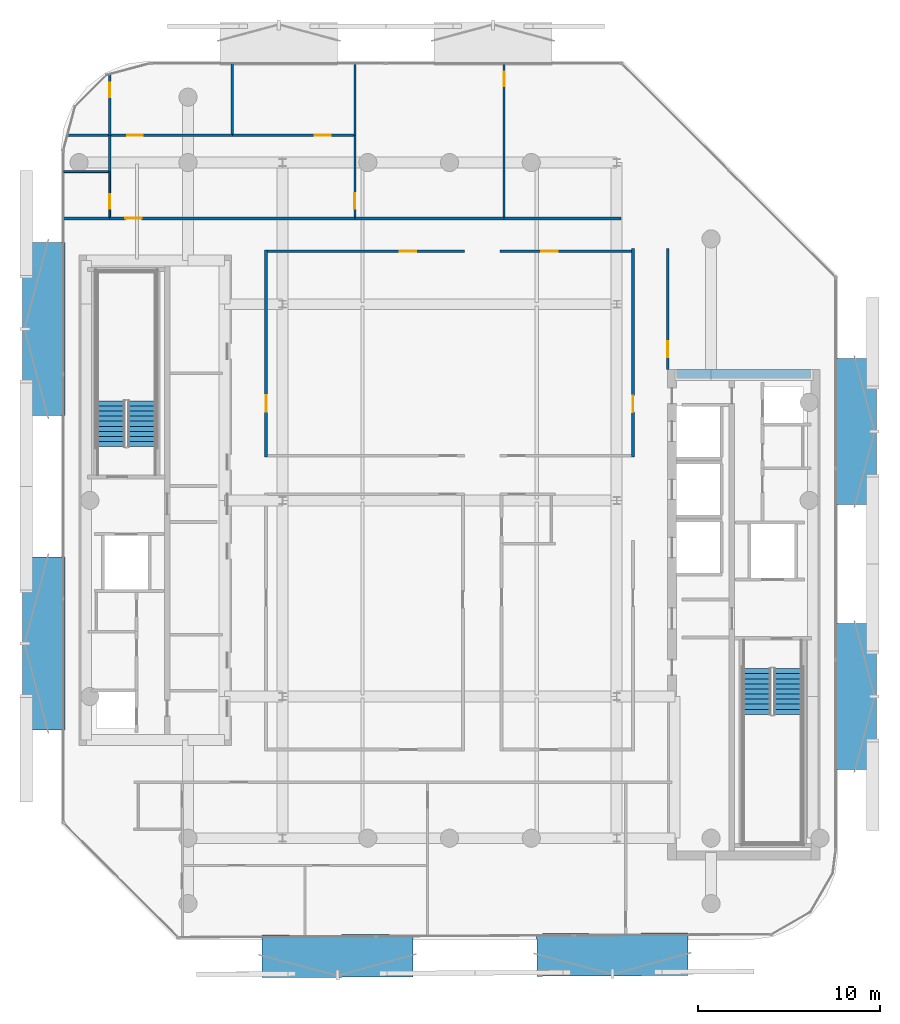
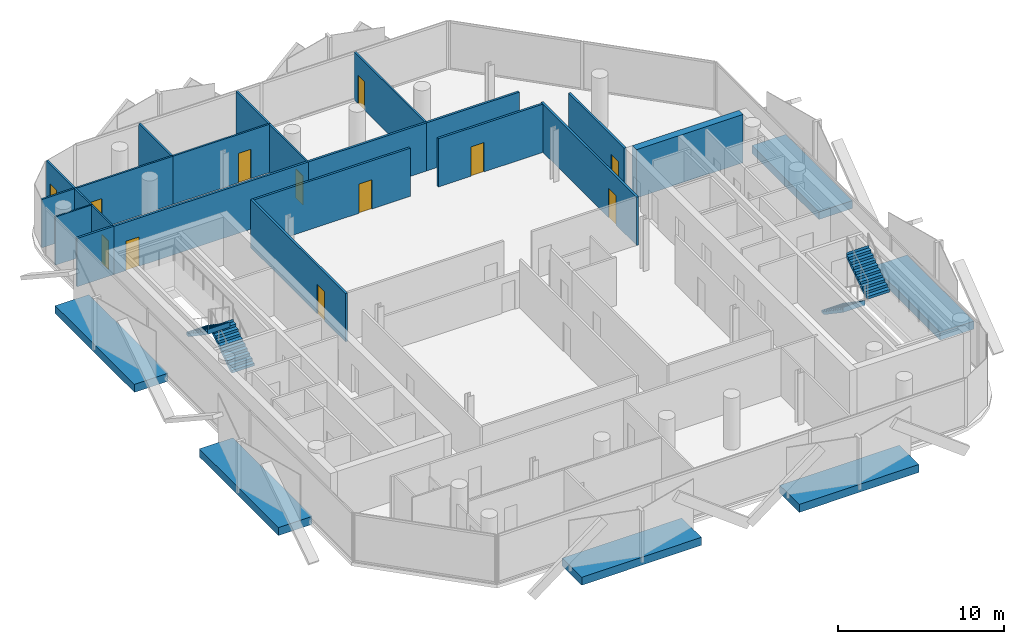
# One storey, part 7 of 15: 20 walls, 12 doors, 6 discrete accessories, 4 stair flights, 12 openings, 2 elements without a shape of their own.
"""IFC4 building model written with IfcOpenShell, lengths in metres."""

from ifc_helpers import new_model, si_unit, direction, frame, frame_2d, origin, origin_2d, place, context, subcontext, project, spatial, polyline, rectangle, outline, extrude, material, layer, layer_set, type_object, element, fill, aggregate, save


model = new_model("IFC4")

# Units and contexts
model_context = context("Model", 3, precision=1e-05, world=origin(), true_north=direction((0.0, 1.0)))
body_context = subcontext(model_context, "Body", "Model", "MODEL_VIEW")
ifc_project = project(units=[si_unit("LENGTHUNIT", "METRE"), si_unit("AREAUNIT", "SQUARE_METRE"), si_unit("VOLUMEUNIT", "CUBIC_METRE"), si_unit("PLANEANGLEUNIT", "RADIAN"), si_unit("MASSUNIT", "GRAM", prefix="KILO")], contexts=[model_context])

# Site, building, storey
site_placement = place(None, origin())
site = spatial("IfcSite", under=ifc_project, at=site_placement, CompositionType="ELEMENT")
building_placement = place(site_placement, origin())
building = spatial("IfcBuilding", under=site, at=building_placement, Name="Khairoan Windgate Tower", CompositionType="ELEMENT")
storey_placement = place(building_placement, frame((0.0, 0.0, 289.0)))
storey = spatial("IfcBuildingStorey", under=building, at=storey_placement, Name="L69", CompositionType="ELEMENT", Elevation=289.0)

# Wall
ifc_material_1 = material(Name="Moisture-Resistant Gypsum Partition", Category="gypsum")
ifc_layer_1 = layer(ifc_material_1, 0.10009765625, Name="Moisture-Resistant Gypsum Partition")
ifc_layer_set_1 = layer_set([ifc_layer_1], Name="Moisture-Resistant Gypsum Partition")
wall_type_1 = type_object("IfcWallType", Name="Bathroom Wet-Area Partition Wall", PredefinedType="PARTITIONING", material=ifc_layer_set_1)
wall_1_placement = place(storey_placement, frame((-21.2548828125, 18.10009765625, 0.0), z_axis=(0.0, 0.0, 1.0), x_axis=(1.0, 0.0, 0.0)))
element("IfcWall", 1, at=wall_1_placement, inside=storey, type_object=wall_type_1, Name="L69 Interior Partition 037", PredefinedType="PARTITIONING", context=body_context, shape_type="SweptSolid", body=[
    extrude(rectangle(XDim=2.494873046875, YDim=0.10009765625, at=frame_2d((1.24755859375, 0.0))), origin(), (0.0, 0.0, 1.0), 3.5400390625),
])

# Wall, opening, door
wall_2_placement = place(storey_placement, frame((-18.7099609375, 15.60009765625, 0.0), z_axis=(0.0, 0.0, 1.0), x_axis=(0.0, 1.0, 0.0)))
wall_2 = element("IfcWall", 2, at=wall_2_placement, inside=storey, type_object=wall_type_1, Name="L69 Interior Partition 038", PredefinedType="PARTITIONING", context=body_context, shape_type="SweptSolid", body=[
    extrude(rectangle(XDim=2.5, YDim=0.10009765625, at=frame_2d((1.25, 0.0))), origin(), (0.0, 0.0, 1.0), 3.5400390625),
])
opening_1_placement = place(wall_2_placement, frame((0.4599609375, 0.0, 0.0)))
opening_1 = element("IfcOpeningElement", 3, at=opening_1_placement, cuts=wall_2, Name="Opening ID-BTH", PredefinedType="OPENING", context=body_context, shape_type="SweptSolid", body=[
    extrude(rectangle(XDim=0.800048828125, YDim=2.10009765625, at=frame_2d((0.39990234375, 1.050048828125))), frame((0.0, 0.06005859375, 0.0), z_axis=(0.0, -1.0, 0.0), x_axis=(1.0, 0.0, 0.0)), (0.0, 0.0, 1.0), 0.1201171875),
])
ifc_material_2 = material(Name="Teak Veneer Timber Leaf", Category="wood")
door_type_1 = type_object("IfcDoorType", Name="Internal Bathroom Door ID-BTH 800x2100", OperationType="NOTDEFINED", PredefinedType="DOOR", material=ifc_material_2)
door_1_placement = place(opening_1_placement, origin())
door_1 = element("IfcDoor", 4, at=door_1_placement, inside=storey, type_object=door_type_1, Name="L69 L69-33-L69-35 Door", OperationType="SINGLE_SWING_LEFT", OverallHeight=2.10009765625, OverallWidth=0.800048828125, PredefinedType="DOOR", context=body_context, shape_type="SweptSolid", body=[
    extrude(rectangle(XDim=0.800048828125, YDim=2.10009765625, at=frame_2d((0.39990234375, 1.050048828125))), frame((0.0, 0.02490234375, 0.0), z_axis=(0.0, -1.0, 0.0), x_axis=(1.0, 0.0, 0.0)), (0.0, 0.0, 1.0), 0.050048828125),
])
fill(opening_1, door_1)

# Wall
ifc_material_3 = material(Name="Gypsum Stud Partition", Category="gypsum")
ifc_layer_2 = layer(ifc_material_3, 0.1201171875, Name="Gypsum Stud Partition")
ifc_layer_set_2 = layer_set([ifc_layer_2], Name="Gypsum Stud Partition")
wall_type_2 = type_object("IfcWallType", Name="Internal Room Partition Wall", PredefinedType="PARTITIONING", material=ifc_layer_set_2)
wall_3_placement = place(storey_placement, frame((-18.7099609375, 18.10009765625, 0.0), z_axis=(0.0, 0.0, 1.0), x_axis=(0.0, 1.0, 0.0)))
element("IfcWall", 5, at=wall_3_placement, inside=storey, type_object=wall_type_2, Name="L69 Interior Partition 039", PredefinedType="PARTITIONING", context=body_context, shape_type="SweptSolid", body=[
    extrude(rectangle(XDim=2.0, YDim=0.1201171875, at=frame_2d((1.0, 0.0))), origin(), (0.0, 0.0, 1.0), 3.5400390625),
])

# Wall, opening, door
wall_4_placement = place(storey_placement, frame((-18.7099609375, 20.10009765625, 0.0), z_axis=(0.0, 0.0, 1.0), x_axis=(0.0, 1.0, 0.0)))
wall_4 = element("IfcWall", 6, at=wall_4_placement, inside=storey, type_object=wall_type_2, Name="L69 Interior Partition 040", PredefinedType="PARTITIONING", context=body_context, shape_type="SweptSolid", body=[
    extrude(rectangle(XDim=3.361328125, YDim=0.1201171875, at=frame_2d((1.6806640625, 0.0))), origin(), (0.0, 0.0, 1.0), 3.5400390625),
])
opening_2_placement = place(wall_4_placement, frame((2.1015625, 0.0, 0.0)))
opening_2 = element("IfcOpeningElement", 7, at=opening_2_placement, cuts=wall_4, Name="Opening ID-BTH", PredefinedType="OPENING", context=body_context, shape_type="SweptSolid", body=[
    extrude(rectangle(XDim=0.800048828125, YDim=2.10009765625, at=frame_2d((0.39990234375, 1.050048828125))), frame((0.0, 0.070068359375, 0.0), z_axis=(0.0, -1.0, 0.0), x_axis=(1.0, 0.0, 0.0)), (0.0, 0.0, 1.0), 0.14013671875),
])
door_2_placement = place(opening_2_placement, origin())
door_2 = element("IfcDoor", 8, at=door_2_placement, inside=storey, type_object=door_type_1, Name="L69 L69-34-L69-38 Door", OperationType="SINGLE_SWING_RIGHT", OverallHeight=2.10009765625, OverallWidth=0.800048828125, PredefinedType="DOOR", context=body_context, shape_type="SweptSolid", body=[
    extrude(rectangle(XDim=0.800048828125, YDim=2.10009765625, at=frame_2d((0.39990234375, 1.050048828125))), frame((0.0, 0.02490234375, 0.0), z_axis=(0.0, -1.0, 0.0), x_axis=(1.0, 0.0, 0.0)), (0.0, 0.0, 1.0), 0.050048828125),
])
fill(opening_2, door_2)

wall_5_placement = place(storey_placement, frame((-5.2099609375, 15.60009765625, 0.0), z_axis=(0.0, 0.0, 1.0), x_axis=(0.0, 1.0, 0.0)))
wall_5 = element("IfcWall", 9, at=wall_5_placement, inside=storey, type_object=wall_type_2, Name="L69 Interior Partition 041", PredefinedType="PARTITIONING", context=body_context, shape_type="SweptSolid", body=[
    extrude(rectangle(XDim=4.5, YDim=0.1201171875, at=frame_2d((2.25, 0.0))), origin(), (0.0, 0.0, 1.0), 3.5400390625),
])
opening_3_placement = place(wall_5_placement, frame((0.4599609375, 0.0, 0.0)))
opening_3 = element("IfcOpeningElement", 10, at=opening_3_placement, cuts=wall_5, Name="Opening ID-RM", PredefinedType="OPENING", context=body_context, shape_type="SweptSolid", body=[
    extrude(rectangle(XDim=0.860107421875, YDim=2.14990234375, at=frame_2d((0.43017578125, 1.074951171875))), frame((0.0, 0.070068359375, 0.0), z_axis=(0.0, -1.0, 0.0), x_axis=(1.0, 0.0, 0.0)), (0.0, 0.0, 1.0), 0.14013671875),
])
ifc_material_4 = material(Name="Teak Veneer Timber Leaf", Category="wood")
door_type_2 = type_object("IfcDoorType", Name="Internal Bedroom and Office Door ID-RM 860x2150", OperationType="NOTDEFINED", PredefinedType="DOOR", material=ifc_material_4)
door_3_placement = place(opening_3_placement, origin())
door_3 = element("IfcDoor", 11, at=door_3_placement, inside=storey, type_object=door_type_2, Name="L69 L69-35-L69-36 Door", OperationType="SINGLE_SWING_LEFT", OverallHeight=2.14990234375, OverallWidth=0.860107421875, PredefinedType="DOOR", context=body_context, shape_type="SweptSolid", body=[
    extrude(rectangle(XDim=0.860107421875, YDim=2.14990234375, at=frame_2d((0.43017578125, 1.074951171875))), frame((0.0, 0.02490234375, 0.0), z_axis=(0.0, -1.0, 0.0), x_axis=(1.0, 0.0, 0.0)), (0.0, 0.0, 1.0), 0.050048828125),
])
fill(opening_3, door_3)

wall_6_placement = place(storey_placement, frame((-21.03857421875, 20.10009765625, 0.0), z_axis=(0.0, 0.0, 1.0), x_axis=(1.0, 0.0, 0.0)))
wall_6 = element("IfcWall", 12, at=wall_6_placement, inside=storey, type_object=wall_type_2, Name="L69 Interior Partition 042", PredefinedType="PARTITIONING", context=body_context, shape_type="SweptSolid", body=[
    extrude(rectangle(XDim=9.07861328125, YDim=0.1201171875, at=frame_2d((4.539306640625, 0.0))), origin(), (0.0, 0.0, 1.0), 3.5400390625),
])
opening_4_placement = place(wall_6_placement, frame((3.29833984375, 0.0, 0.0)))
opening_4 = element("IfcOpeningElement", 13, at=opening_4_placement, cuts=wall_6, Name="Opening ID-RM", PredefinedType="OPENING", context=body_context, shape_type="SweptSolid", body=[
    extrude(rectangle(XDim=0.860107421875, YDim=2.14990234375, at=frame_2d((0.43017578125, 1.074951171875))), frame((0.0, 0.070068359375, 0.0), z_axis=(0.0, -1.0, 0.0), x_axis=(1.0, 0.0, 0.0)), (0.0, 0.0, 1.0), 0.14013671875),
])
door_4_placement = place(opening_4_placement, origin())
door_4 = element("IfcDoor", 14, at=door_4_placement, inside=storey, type_object=door_type_2, Name="L69 L69-35-L69-38 Door", OperationType="SINGLE_SWING_RIGHT", OverallHeight=2.14990234375, OverallWidth=0.860107421875, PredefinedType="DOOR", context=body_context, shape_type="SweptSolid", body=[
    extrude(rectangle(XDim=0.860107421875, YDim=2.14990234375, at=frame_2d((0.43017578125, 1.074951171875))), frame((0.0, 0.02490234375, 0.0), z_axis=(0.0, -1.0, 0.0), x_axis=(1.0, 0.0, 0.0)), (0.0, 0.0, 1.0), 0.050048828125),
])
fill(opening_4, door_4)

wall_7_placement = place(storey_placement, frame((-11.9599609375, 20.10009765625, 0.0), z_axis=(0.0, 0.0, 1.0), x_axis=(1.0, 0.0, 0.0)))
wall_7 = element("IfcWall", 15, at=wall_7_placement, inside=storey, type_object=wall_type_2, Name="L69 Interior Partition 043", PredefinedType="PARTITIONING", context=body_context, shape_type="SweptSolid", body=[
    extrude(rectangle(XDim=6.68994140625, YDim=0.1201171875, at=frame_2d((3.344970703125, 0.0))), origin(), (0.0, 0.0, 1.0), 3.5400390625),
])
opening_5_placement = place(wall_7_placement, frame((4.5517578125, 0.0, 0.0)))
opening_5 = element("IfcOpeningElement", 16, at=opening_5_placement, cuts=wall_7, Name="Opening ID-RM", PredefinedType="OPENING", context=body_context, shape_type="SweptSolid", body=[
    extrude(rectangle(XDim=0.860107421875, YDim=2.14990234375, at=frame_2d((0.43017578125, 1.074951171875))), frame((0.0, 0.070068359375, 0.0), z_axis=(0.0, -1.0, 0.0), x_axis=(1.0, 0.0, 0.0)), (0.0, 0.0, 1.0), 0.14013671875),
])
door_5_placement = place(opening_5_placement, origin())
door_5 = element("IfcDoor", 17, at=door_5_placement, inside=storey, type_object=door_type_2, Name="L69 L69-35-L69-39 Door", OperationType="SINGLE_SWING_LEFT", OverallHeight=2.14990234375, OverallWidth=0.860107421875, PredefinedType="DOOR", context=body_context, shape_type="SweptSolid", body=[
    extrude(rectangle(XDim=0.860107421875, YDim=2.14990234375, at=frame_2d((0.43017578125, 1.074951171875))), frame((0.0, 0.02490234375, 0.0), z_axis=(0.0, -1.0, 0.0), x_axis=(1.0, 0.0, 0.0)), (0.0, 0.0, 1.0), 0.050048828125),
])
fill(opening_5, door_5)

wall_8_placement = place(storey_placement, frame((3.0048828125, 15.60009765625, 0.0), z_axis=(0.0, 0.0, 1.0), x_axis=(0.0, 1.0, 0.0)))
wall_8 = element("IfcWall", 18, at=wall_8_placement, inside=storey, type_object=wall_type_2, Name="L69 Interior Partition 044", PredefinedType="PARTITIONING", context=body_context, shape_type="SweptSolid", body=[
    extrude(rectangle(XDim=8.454833984375, YDim=0.1201171875, at=frame_2d((4.2275390625, 0.0))), origin(), (0.0, 0.0, 1.0), 3.5400390625),
])
opening_6_placement = place(wall_8_placement, frame((7.195068359375, 0.0, 0.0)))
opening_6 = element("IfcOpeningElement", 19, at=opening_6_placement, cuts=wall_8, Name="Opening ID-BTH", PredefinedType="OPENING", context=body_context, shape_type="SweptSolid", body=[
    extrude(rectangle(XDim=0.800048828125, YDim=2.10009765625, at=frame_2d((0.39990234375, 1.050048828125))), frame((0.0, 0.070068359375, 0.0), z_axis=(0.0, -1.0, 0.0), x_axis=(1.0, 0.0, 0.0)), (0.0, 0.0, 1.0), 0.14013671875),
])
door_6_placement = place(opening_6_placement, origin())
door_6 = element("IfcDoor", 20, at=door_6_placement, inside=storey, type_object=door_type_1, Name="L69 L69-36-L69-37 Door", OperationType="SINGLE_SWING_LEFT", OverallHeight=2.10009765625, OverallWidth=0.800048828125, PredefinedType="DOOR", context=body_context, shape_type="SweptSolid", body=[
    extrude(rectangle(XDim=0.800048828125, YDim=2.10009765625, at=frame_2d((0.39990234375, 1.050048828125))), frame((0.0, 0.02490234375, 0.0), z_axis=(0.0, -1.0, 0.0), x_axis=(1.0, 0.0, 0.0)), (0.0, 0.0, 1.0), 0.050048828125),
])
fill(opening_6, door_6)

# Walls
wall_9_placement = place(storey_placement, frame((-5.2099609375, 20.10009765625, 0.0), z_axis=(0.0, 0.0, 1.0), x_axis=(0.0, 1.0, 0.0)))
element("IfcWall", 21, at=wall_9_placement, inside=storey, type_object=wall_type_2, Name="L69 Interior Partition 045", PredefinedType="PARTITIONING", context=body_context, shape_type="SweptSolid", body=[
    extrude(rectangle(XDim=3.954833984375, YDim=0.1201171875, at=frame_2d((1.9775390625, 0.0))), origin(), (0.0, 0.0, 1.0), 3.5400390625),
])
wall_10_placement = place(storey_placement, frame((-11.9599609375, 20.159912109375, 0.0), z_axis=(0.0, 0.0, 1.0), x_axis=(0.0, 1.0, 0.0)))
element("IfcWall", 22, at=wall_10_placement, inside=storey, type_object=wall_type_2, Name="L69 Interior Partition 046", PredefinedType="PARTITIONING", context=body_context, shape_type="SweptSolid", body=[
    extrude(rectangle(XDim=3.89501953125, YDim=0.1201171875, at=frame_2d((1.947509765625, 0.0))), origin(), (0.0, 0.0, 1.0), 3.5400390625),
])

# Wall, opening, door
ifc_material_5 = material(Name="Acoustic Fire-Rated Gypsum Partition", Category="gypsum")
ifc_layer_3 = layer(ifc_material_5, 0.14990234375, Name="Acoustic Fire-Rated Gypsum Partition")
ifc_layer_set_3 = layer_set([ifc_layer_3], Name="Acoustic Fire-Rated Gypsum Partition")
wall_type_3 = type_object("IfcWallType", Name="Rated Corridor Partition Wall", PredefinedType="PARTITIONING", material=ifc_layer_set_3)
wall_11_placement = place(storey_placement, frame((-10.10009765625, 2.389892578125, 0.0), z_axis=(0.0, 0.0, 1.0), x_axis=(0.0, 1.0, 0.0)))
wall_11 = element("IfcWall", 23, at=wall_11_placement, inside=storey, type_object=wall_type_3, Name="L69 Interior Partition 013", PredefinedType="PARTITIONING", context=body_context, shape_type="SweptSolid", body=[
    extrude(rectangle(XDim=11.405029296875, YDim=0.14990234375, at=frame_2d((5.70263671875, 0.0))), origin(), (0.0, 0.0, 1.0), 3.5400390625),
])
opening_7_placement = place(wall_11_placement, frame((2.49951171875, 0.0, 0.0)))
opening_7 = element("IfcOpeningElement", 24, at=opening_7_placement, cuts=wall_11, Name="Opening FD-ENT", PredefinedType="OPENING", context=body_context, shape_type="SweptSolid", body=[
    extrude(rectangle(XDim=0.89990234375, YDim=2.14990234375, at=frame_2d((0.449951171875, 1.074951171875))), frame((0.0, 0.0849609375, 0.0), z_axis=(0.0, -1.0, 0.0), x_axis=(1.0, 0.0, 0.0)), (0.0, 0.0, 1.0), 0.169921875),
])
ifc_material_6 = material(Name="Timber Fire-Rated Core", Category="wood")
door_type_3 = type_object("IfcDoorType", Name="Unit and Office Fire Entrance Door FD-ENT 900x2150", OperationType="NOTDEFINED", PredefinedType="DOOR", material=ifc_material_6)
door_7_placement = place(opening_7_placement, origin())
door_7 = element("IfcDoor", 25, at=door_7_placement, inside=storey, type_object=door_type_3, Name="L69 L69-27-L69-48 Door", OperationType="SINGLE_SWING_LEFT", OverallHeight=2.14990234375, OverallWidth=0.89990234375, PredefinedType="DOOR", context=body_context, shape_type="SweptSolid", body=[
    extrude(rectangle(XDim=0.89990234375, YDim=2.14990234375, at=frame_2d((0.449951171875, 1.074951171875))), frame((0.0, 0.02490234375, 0.0), z_axis=(0.0, -1.0, 0.0), x_axis=(1.0, 0.0, 0.0)), (0.0, 0.0, 1.0), 0.050048828125),
])
fill(opening_7, door_7)

wall_12_placement = place(storey_placement, frame((12.014892578125, 7.199951171875, 0.0), z_axis=(0.0, 0.0, 1.0), x_axis=(0.0, 1.0, 0.0)))
wall_12 = element("IfcWall", 26, at=wall_12_placement, inside=storey, type_object=wall_type_3, Name="L69 Interior Partition 015", PredefinedType="PARTITIONING", context=body_context, shape_type="SweptSolid", body=[
    extrude(rectangle(XDim=6.679931640625, YDim=0.14990234375, at=frame_2d((3.33984375, 0.0))), origin(), (0.0, 0.0, 1.0), 3.5400390625),
])
opening_8_placement = place(wall_12_placement, frame((0.669921875, 0.0, 0.0)))
opening_8 = element("IfcOpeningElement", 27, at=opening_8_placement, cuts=wall_12, Name="Opening FD-ENT", PredefinedType="OPENING", context=body_context, shape_type="SweptSolid", body=[
    extrude(rectangle(XDim=0.89990234375, YDim=2.14990234375, at=frame_2d((0.449951171875, 1.074951171875))), frame((0.0, 0.0849609375, 0.0), z_axis=(0.0, -1.0, 0.0), x_axis=(1.0, 0.0, 0.0)), (0.0, 0.0, 1.0), 0.169921875),
])
door_8_placement = place(opening_8_placement, origin())
door_8 = element("IfcDoor", 28, at=door_8_placement, inside=storey, type_object=door_type_3, Name="L69 L69-28-L69-47 Door", OperationType="SINGLE_SWING_LEFT", OverallHeight=2.14990234375, OverallWidth=0.89990234375, PredefinedType="DOOR", context=body_context, shape_type="SweptSolid", body=[
    extrude(rectangle(XDim=0.89990234375, YDim=2.14990234375, at=frame_2d((0.449951171875, 1.074951171875))), frame((0.0, 0.02490234375, 0.0), z_axis=(0.0, -1.0, 0.0), x_axis=(1.0, 0.0, 0.0)), (0.0, 0.0, 1.0), 0.050048828125),
])
fill(opening_8, door_8)

wall_13_placement = place(storey_placement, frame((10.10009765625, 2.389892578125, 0.0), z_axis=(0.0, 0.0, 1.0), x_axis=(0.0, 1.0, 0.0)))
wall_13 = element("IfcWall", 29, at=wall_13_placement, inside=storey, type_object=wall_type_3, Name="L69 Interior Partition 016", PredefinedType="PARTITIONING", context=body_context, shape_type="SweptSolid", body=[
    extrude(rectangle(XDim=11.489990234375, YDim=0.14990234375, at=frame_2d((5.7451171875, 0.0))), origin(), (0.0, 0.0, 1.0), 3.5400390625),
])
opening_9_placement = place(wall_13_placement, frame((2.474609375, 0.0, 0.0)))
opening_9 = element("IfcOpeningElement", 30, at=opening_9_placement, cuts=wall_13, Name="Opening FD-ENT", PredefinedType="OPENING", context=body_context, shape_type="SweptSolid", body=[
    extrude(rectangle(XDim=0.89990234375, YDim=2.14990234375, at=frame_2d((0.449951171875, 1.074951171875))), frame((0.0, 0.0849609375, 0.0), z_axis=(0.0, -1.0, 0.0), x_axis=(1.0, 0.0, 0.0)), (0.0, 0.0, 1.0), 0.169921875),
])
door_9_placement = place(opening_9_placement, origin())
door_9 = element("IfcDoor", 31, at=door_9_placement, inside=storey, type_object=door_type_3, Name="L69 L69-28-L69-50 Door", OperationType="SINGLE_SWING_RIGHT", OverallHeight=2.14990234375, OverallWidth=0.89990234375, PredefinedType="DOOR", context=body_context, shape_type="SweptSolid", body=[
    extrude(rectangle(XDim=0.89990234375, YDim=2.14990234375, at=frame_2d((0.449951171875, 1.074951171875))), frame((0.0, 0.02490234375, 0.0), z_axis=(0.0, -1.0, 0.0), x_axis=(1.0, 0.0, 0.0)), (0.0, 0.0, 1.0), 0.050048828125),
])
fill(opening_9, door_9)

# Wall
wall_14_placement = place(storey_placement, frame((-21.2548828125, 15.52490234375, 0.0), z_axis=(0.0, 0.0, 1.0), x_axis=(1.0, 0.0, 0.0)))
element("IfcWall", 32, at=wall_14_placement, inside=storey, type_object=wall_type_3, Name="L69 Interior Partition 025", PredefinedType="PARTITIONING", context=body_context, shape_type="SweptSolid", body=[
    extrude(rectangle(XDim=2.544921875, YDim=0.14990234375, at=frame_2d((1.2724609375, 0.0))), origin(), (0.0, 0.0, 1.0), 3.5400390625),
])

# Wall, opening, door
wall_15_placement = place(storey_placement, frame((-18.7099609375, 15.52490234375, 0.0), z_axis=(0.0, 0.0, 1.0), x_axis=(1.0, 0.0, 0.0)))
wall_15 = element("IfcWall", 33, at=wall_15_placement, inside=storey, type_object=wall_type_3, Name="L69 Interior Partition 026", PredefinedType="PARTITIONING", context=body_context, shape_type="SweptSolid", body=[
    extrude(rectangle(XDim=13.5, YDim=0.14990234375, at=frame_2d((6.75, 0.0))), origin(), (0.0, 0.0, 1.0), 3.5400390625),
])
opening_10_placement = place(wall_15_placement, frame((0.86279296875, 0.0, 0.0)))
opening_10 = element("IfcOpeningElement", 34, at=opening_10_placement, cuts=wall_15, Name="Opening FD-ENT", PredefinedType="OPENING", context=body_context, shape_type="SweptSolid", body=[
    extrude(rectangle(XDim=0.89990234375, YDim=2.14990234375, at=frame_2d((0.449951171875, 1.074951171875))), frame((0.0, 0.0849609375, 0.0), z_axis=(0.0, -1.0, 0.0), x_axis=(1.0, 0.0, 0.0)), (0.0, 0.0, 1.0), 0.169921875),
])
door_10_placement = place(opening_10_placement, origin())
door_10 = element("IfcDoor", 35, at=door_10_placement, inside=storey, type_object=door_type_3, Name="L69 L69-31-L69-35 Door", OperationType="SINGLE_SWING_LEFT", OverallHeight=2.14990234375, OverallWidth=0.89990234375, PredefinedType="DOOR", context=body_context, shape_type="SweptSolid", body=[
    extrude(rectangle(XDim=0.89990234375, YDim=2.14990234375, at=frame_2d((0.449951171875, 1.074951171875))), frame((0.0, 0.02490234375, 0.0), z_axis=(0.0, -1.0, 0.0), x_axis=(1.0, 0.0, 0.0)), (0.0, 0.0, 1.0), 0.050048828125),
])
fill(opening_10, door_10)

# Walls
wall_16_placement = place(storey_placement, frame((-5.2099609375, 15.52490234375, 0.0), z_axis=(0.0, 0.0, 1.0), x_axis=(1.0, 0.0, 0.0)))
element("IfcWall", 36, at=wall_16_placement, inside=storey, type_object=wall_type_3, Name="L69 Interior Partition 027", PredefinedType="PARTITIONING", context=body_context, shape_type="SweptSolid", body=[
    extrude(rectangle(XDim=8.21484375, YDim=0.14990234375, at=frame_2d((4.107421875, 0.0))), origin(), (0.0, 0.0, 1.0), 3.5400390625),
])
wall_17_placement = place(storey_placement, frame((3.0048828125, 15.52490234375, 0.0), z_axis=(0.0, 0.0, 1.0), x_axis=(1.0, 0.0, 0.0)))
element("IfcWall", 37, at=wall_17_placement, inside=storey, type_object=wall_type_3, Name="L69 Interior Partition 028", PredefinedType="PARTITIONING", context=body_context, shape_type="SweptSolid", body=[
    extrude(rectangle(XDim=6.43505859375, YDim=0.14990234375, at=frame_2d((3.217529296875, 0.0))), origin(), (0.0, 0.0, 1.0), 3.5400390625),
])

# Wall, opening, door
wall_18_placement = place(storey_placement, frame((-10.02490234375, 13.719970703125, 0.0), z_axis=(0.0, 0.0, 1.0), x_axis=(1.0, 0.0, 0.0)))
wall_18 = element("IfcWall", 38, at=wall_18_placement, inside=storey, type_object=wall_type_3, Name="L69 Interior Partition 029", PredefinedType="PARTITIONING", context=body_context, shape_type="SweptSolid", body=[
    extrude(rectangle(XDim=10.85498046875, YDim=0.14990234375, at=frame_2d((5.427490234375, 0.0))), origin(), (0.0, 0.0, 1.0), 3.5400390625),
])
opening_11_placement = place(wall_18_placement, frame((7.286376953125, 0.0, 0.0)))
opening_11 = element("IfcOpeningElement", 39, at=opening_11_placement, cuts=wall_18, Name="Opening FD-ENT", PredefinedType="OPENING", context=body_context, shape_type="SweptSolid", body=[
    extrude(rectangle(XDim=0.89990234375, YDim=2.14990234375, at=frame_2d((0.449951171875, 1.074951171875))), frame((0.0, 0.0849609375, 0.0), z_axis=(0.0, -1.0, 0.0), x_axis=(1.0, 0.0, 0.0)), (0.0, 0.0, 1.0), 0.169921875),
])
door_11_placement = place(opening_11_placement, origin())
door_11 = element("IfcDoor", 40, at=door_11_placement, inside=storey, type_object=door_type_3, Name="L69 L69-31-L69-48 Door", OperationType="SINGLE_SWING_RIGHT", OverallHeight=2.14990234375, OverallWidth=0.89990234375, PredefinedType="DOOR", context=body_context, shape_type="SweptSolid", body=[
    extrude(rectangle(XDim=0.89990234375, YDim=2.14990234375, at=frame_2d((0.449951171875, 1.074951171875))), frame((0.0, 0.02490234375, 0.0), z_axis=(0.0, -1.0, 0.0), x_axis=(1.0, 0.0, 0.0)), (0.0, 0.0, 1.0), 0.050048828125),
])
fill(opening_11, door_11)

wall_19_placement = place(storey_placement, frame((2.77001953125, 13.719970703125, 0.0), z_axis=(0.0, 0.0, 1.0), x_axis=(1.0, 0.0, 0.0)))
wall_19 = element("IfcWall", 41, at=wall_19_placement, inside=storey, type_object=wall_type_3, Name="L69 Interior Partition 030", PredefinedType="PARTITIONING", context=body_context, shape_type="SweptSolid", body=[
    extrude(rectangle(XDim=7.2548828125, YDim=0.14990234375, at=frame_2d((3.62744140625, 0.0))), origin(), (0.0, 0.0, 1.0), 3.5400390625),
])
opening_12_placement = place(wall_19_placement, frame((2.27880859375, 0.0, 0.0)))
opening_12 = element("IfcOpeningElement", 42, at=opening_12_placement, cuts=wall_19, Name="Opening FD-ENT", PredefinedType="OPENING", context=body_context, shape_type="SweptSolid", body=[
    extrude(rectangle(XDim=0.89990234375, YDim=2.14990234375, at=frame_2d((0.449951171875, 1.074951171875))), frame((0.0, 0.0849609375, 0.0), z_axis=(0.0, -1.0, 0.0), x_axis=(1.0, 0.0, 0.0)), (0.0, 0.0, 1.0), 0.169921875),
])
door_12_placement = place(opening_12_placement, origin())
door_12 = element("IfcDoor", 43, at=door_12_placement, inside=storey, type_object=door_type_3, Name="L69 L69-31-L69-50 Door", OperationType="SINGLE_SWING_LEFT", OverallHeight=2.14990234375, OverallWidth=0.89990234375, PredefinedType="DOOR", context=body_context, shape_type="SweptSolid", body=[
    extrude(rectangle(XDim=0.89990234375, YDim=2.14990234375, at=frame_2d((0.449951171875, 1.074951171875))), frame((0.0, 0.02490234375, 0.0), z_axis=(0.0, -1.0, 0.0), x_axis=(1.0, 0.0, 0.0)), (0.0, 0.0, 1.0), 0.050048828125),
])
fill(opening_12, door_12)

# Wall
ifc_material_7 = material(Name="Concrete C50/60", Category="concrete")
ifc_layer_4 = layer(ifc_material_7, 0.5, Name="Concrete C50/60")
ifc_layer_set_4 = layer_set([ifc_layer_4], Name="Concrete C50/60")
wall_type_4 = type_object("IfcWallType", Name="Shear Wall CW-E3 500mm", PredefinedType="SHEAR", material=ifc_layer_set_4)
wall_20_placement = place(storey_placement, frame((12.5, 6.949951171875, 0.0), z_axis=(0.0, 0.0, 1.0), x_axis=(1.0, 0.0, 0.0)))
element("IfcWall", 44, at=wall_20_placement, inside=storey, type_object=wall_type_4, Name="E Core North Shear Wall L69", PredefinedType="SHEAR", context=body_context, shape_type="SweptSolid", body=[
    extrude(rectangle(XDim=7.39990234375, YDim=0.5, at=frame_2d((3.699951171875, 0.0))), origin(), (0.0, 0.0, 1.0), 3.5400390625),
])

# Stair, stair flights
ifc_material_8 = material(Name="Concrete C40/50", Category="concrete")
stair_type = type_object("IfcStairType", Name="Tower Core Dog-Leg Stair ST-T1 1560mm", PredefinedType="HALF_TURN_STAIR", material=ifc_material_8)
stair_1_placement = place(storey_placement, origin())
stair_1 = element("IfcStair", 45, at=stair_1_placement, inside=storey, type_object=stair_type, Name="L69 Stair ST1", PredefinedType="HALF_TURN_STAIR")
ifc_material_9 = material(Name="Concrete C40/50", Category="concrete")
ifc_layer_5 = layer(ifc_material_9, 0.14990234375, Name="Concrete C40/50")
ifc_layer_set_5 = layer_set([ifc_layer_5], Name="Concrete C40/50")
stair_flight_type = type_object("IfcStairFlightType", Name="Tower Core Stair Flight STF-1560", PredefinedType="STRAIGHT", material=ifc_layer_set_5)
stair_flight_1_placement = place(storey_placement, frame((16.929931640625, -9.260009765625, 0.0), z_axis=(0.0, 0.0, 1.0), x_axis=(0.0, -1.0, 0.0)))
stair_flight_1 = element("IfcStairFlight", 46, at=stair_flight_1_placement, type_object=stair_flight_type, Name="ST1 flight 1", NumberOfRisers=10, NumberOfTreads=9, PredefinedType="STRAIGHT", RiserHeight=0.19, TreadLength=0.28, context=body_context, shape_type="SweptSolid", body=[
    extrude(outline(polyline([(-0.00390625, 0.0), (-0.00390625, 0.18994140625), (0.0, 0.18994140625), (0.280029296875, 0.18994140625), (0.280029296875, 0.3798828125), (0.56005859375, 0.3798828125), (0.56005859375, 0.570068359375), (0.840087890625, 0.570068359375), (0.840087890625, 0.760009765625), (1.1201171875, 0.760009765625), (1.1201171875, 0.949951171875), (1.39990234375, 0.949951171875), (1.39990234375, 1.139892578125), (1.679931640625, 1.139892578125), (1.679931640625, 1.330078125), (1.9599609375, 1.330078125), (1.9599609375, 1.52001953125), (2.239990234375, 1.52001953125), (2.239990234375, 1.7099609375), (2.52001953125, 1.7099609375), (2.52001953125, 1.89990234375), (2.52392578125, 1.89990234375), (2.52392578125, 1.52880859375), (0.266845703125, 0.0), (-0.00390625, 0.0)])), frame((0.0, 0.780029296875, 0.0), z_axis=(0.0, -1.0, 0.0), x_axis=(1.0, 0.0, 0.0)), (0.0, 0.0, 1.0), 1.56005859375),
])
stair_flight_2_placement = place(storey_placement, frame((18.639892578125, -11.780029296875, 1.89990234375), z_axis=(0.0, 0.0, 1.0), x_axis=(0.0, 1.0, 0.0)))
stair_flight_2 = element("IfcStairFlight", 47, at=stair_flight_2_placement, type_object=stair_flight_type, Name="ST1 flight 2", NumberOfRisers=10, NumberOfTreads=9, PredefinedType="STRAIGHT", RiserHeight=0.19, TreadLength=0.28, context=body_context, shape_type="SweptSolid", body=[
    extrude(outline(polyline([(-0.00390625, 0.0), (-0.00390625, 0.18994140625), (0.0, 0.18994140625), (0.280029296875, 0.18994140625), (0.280029296875, 0.3798828125), (0.56005859375, 0.3798828125), (0.56005859375, 0.570068359375), (0.840087890625, 0.570068359375), (0.840087890625, 0.760009765625), (1.1201171875, 0.760009765625), (1.1201171875, 0.949951171875), (1.39990234375, 0.949951171875), (1.39990234375, 1.139892578125), (1.679931640625, 1.139892578125), (1.679931640625, 1.330078125), (1.9599609375, 1.330078125), (1.9599609375, 1.52001953125), (2.239990234375, 1.52001953125), (2.239990234375, 1.7099609375), (2.52001953125, 1.7099609375), (2.52001953125, 1.89990234375), (2.52392578125, 1.89990234375), (2.52392578125, 1.52880859375), (0.266845703125, 0.0), (-0.00390625, 0.0)])), frame((0.0, 0.780029296875, 0.0), z_axis=(0.0, -1.0, 0.0), x_axis=(1.0, 0.0, 0.0)), (0.0, 0.0, 1.0), 1.56005859375),
])
aggregate(stair_1, [stair_flight_1, stair_flight_2])

stair_2_placement = place(storey_placement, origin())
stair_2 = element("IfcStair", 48, at=stair_2_placement, inside=storey, type_object=stair_type, Name="L69 Stair ST2", PredefinedType="HALF_TURN_STAIR")
stair_flight_3_placement = place(storey_placement, frame((-16.929931640625, 2.9599609375, 0.0), z_axis=(0.0, 0.0, 1.0), x_axis=(0.0, 1.0, 0.0)))
stair_flight_3 = element("IfcStairFlight", 49, at=stair_flight_3_placement, type_object=stair_flight_type, Name="ST2 flight 1", NumberOfRisers=10, NumberOfTreads=9, PredefinedType="STRAIGHT", RiserHeight=0.19, TreadLength=0.28, context=body_context, shape_type="SweptSolid", body=[
    extrude(outline(polyline([(-0.00390625, 0.0), (-0.00390625, 0.18994140625), (0.0, 0.18994140625), (0.280029296875, 0.18994140625), (0.280029296875, 0.3798828125), (0.56005859375, 0.3798828125), (0.56005859375, 0.570068359375), (0.840087890625, 0.570068359375), (0.840087890625, 0.760009765625), (1.1201171875, 0.760009765625), (1.1201171875, 0.949951171875), (1.39990234375, 0.949951171875), (1.39990234375, 1.139892578125), (1.679931640625, 1.139892578125), (1.679931640625, 1.330078125), (1.9599609375, 1.330078125), (1.9599609375, 1.52001953125), (2.239990234375, 1.52001953125), (2.239990234375, 1.7099609375), (2.52001953125, 1.7099609375), (2.52001953125, 1.89990234375), (2.52392578125, 1.89990234375), (2.52392578125, 1.52880859375), (0.266845703125, 0.0), (-0.00390625, 0.0)])), frame((0.0, 0.780029296875, 0.0), z_axis=(0.0, -1.0, 0.0), x_axis=(1.0, 0.0, 0.0)), (0.0, 0.0, 1.0), 1.56005859375),
])
stair_flight_4_placement = place(storey_placement, frame((-18.639892578125, 5.47998046875, 1.89990234375), z_axis=(0.0, 0.0, 1.0), x_axis=(0.0, -1.0, 0.0)))
stair_flight_4 = element("IfcStairFlight", 50, at=stair_flight_4_placement, type_object=stair_flight_type, Name="ST2 flight 2", NumberOfRisers=10, NumberOfTreads=9, PredefinedType="STRAIGHT", RiserHeight=0.19, TreadLength=0.28, context=body_context, shape_type="SweptSolid", body=[
    extrude(outline(polyline([(-0.00390625, 0.0), (-0.00390625, 0.18994140625), (0.0, 0.18994140625), (0.280029296875, 0.18994140625), (0.280029296875, 0.3798828125), (0.56005859375, 0.3798828125), (0.56005859375, 0.570068359375), (0.840087890625, 0.570068359375), (0.840087890625, 0.760009765625), (1.1201171875, 0.760009765625), (1.1201171875, 0.949951171875), (1.39990234375, 0.949951171875), (1.39990234375, 1.139892578125), (1.679931640625, 1.139892578125), (1.679931640625, 1.330078125), (1.9599609375, 1.330078125), (1.9599609375, 1.52001953125), (2.239990234375, 1.52001953125), (2.239990234375, 1.7099609375), (2.52001953125, 1.7099609375), (2.52001953125, 1.89990234375), (2.52392578125, 1.89990234375), (2.52392578125, 1.52880859375), (0.266845703125, 0.0), (-0.00390625, 0.0)])), frame((0.0, 0.780029296875, 0.0), z_axis=(0.0, -1.0, 0.0), x_axis=(1.0, 0.0, 0.0)), (0.0, 0.0, 1.0), 1.56005859375),
])
aggregate(stair_2, [stair_flight_3, stair_flight_4])

# Discrete accessories
ifc_material_10 = material(Name="Steel S355", Category="steel")
discrete_accessory_type = type_object("IfcDiscreteAccessoryType", Name="Solar Screen Outrigger Slab Bracket SSB-1", PredefinedType="BRACKET", material=ifc_material_10)
for number, where, z_axis, x_axis, name in (
    (51, (8.968505859375, -25.010498046875, -0.419921875), (0.0, 0.0, 1.0), (-0.999987190865, -0.00506143322, 0.0), "L69 Solar Screen Outrigger Bracket 478"),
    (52, (-6.168212890625, -25.086181640625, -0.419921875), (0.0, 0.0, 1.0), (-0.999987190865, -0.00506143322, 0.0), "L69 Solar Screen Outrigger Bracket 479"),
):
    element("IfcDiscreteAccessory", number, at=place(storey_placement, frame(where, z_axis=z_axis, x_axis=x_axis)), inside=storey, type_object=discrete_accessory_type, Name=name, PredefinedType="BRACKET", context=body_context, shape_type="SweptSolid", body=[
        extrude(rectangle(XDim=8.324951171875, YDim=2.340087890625, at=origin_2d()), origin(), (0.0, 0.0, 1.0), 0.580078125),
    ])
for number, where, z_axis, x_axis, name in (
    (53, (-22.330078125, -7.8837890625, -0.419921875), (0.0, 0.0, 1.0), (0.0, 1.0, 0.0), "L69 Solar Screen Outrigger Bracket 480"),
    (54, (-22.330078125, 9.4326171875, -0.419921875), (0.0, 0.0, 1.0), (0.0, 1.0, 0.0), "L69 Solar Screen Outrigger Bracket 481"),
):
    element("IfcDiscreteAccessory", number, at=place(storey_placement, frame(where, z_axis=z_axis, x_axis=x_axis)), inside=storey, type_object=discrete_accessory_type, Name=name, PredefinedType="BRACKET", context=body_context, shape_type="SweptSolid", body=[
        extrude(rectangle(XDim=9.52392578125, YDim=2.340087890625, at=origin_2d()), origin(), (0.0, 0.0, 1.0), 0.580078125),
    ])
for number, where, z_axis, x_axis, name in (
    (55, (22.330078125, 3.788818359375, -0.419921875), (0.0, 0.0, 1.0), (0.0, -1.0, 0.0), "L69 Solar Screen Outrigger Bracket 484"),
    (56, (22.330078125, -10.797607421875, -0.419921875), (0.0, 0.0, 1.0), (0.0, -1.0, 0.0), "L69 Solar Screen Outrigger Bracket 485"),
):
    element("IfcDiscreteAccessory", number, at=place(storey_placement, frame(where, z_axis=z_axis, x_axis=x_axis)), inside=storey, type_object=discrete_accessory_type, Name=name, PredefinedType="BRACKET", context=body_context, shape_type="SweptSolid", body=[
        extrude(rectangle(XDim=8.02294921875, YDim=2.340087890625, at=origin_2d()), origin(), (0.0, 0.0, 1.0), 0.580078125),
    ])

save(model, "model.ifc")
